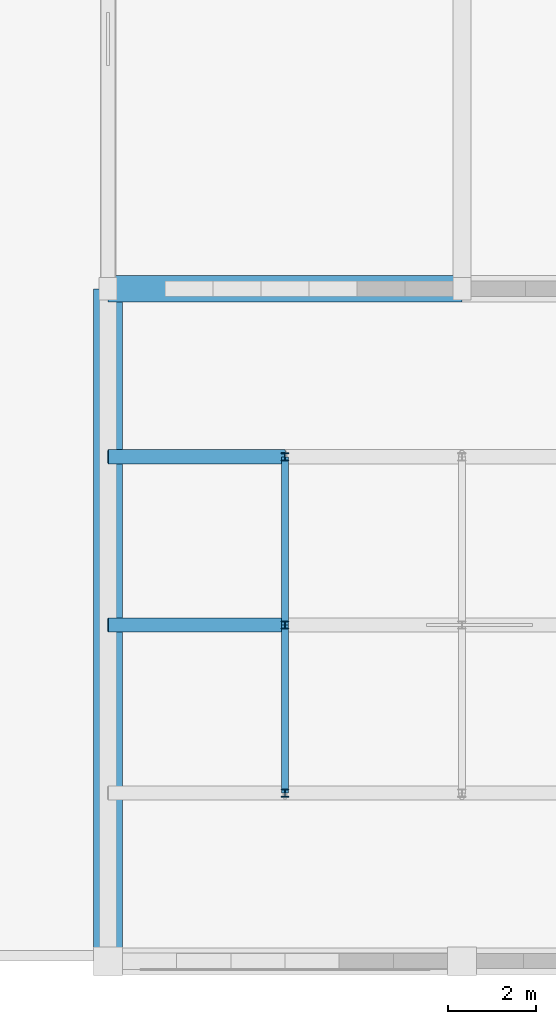
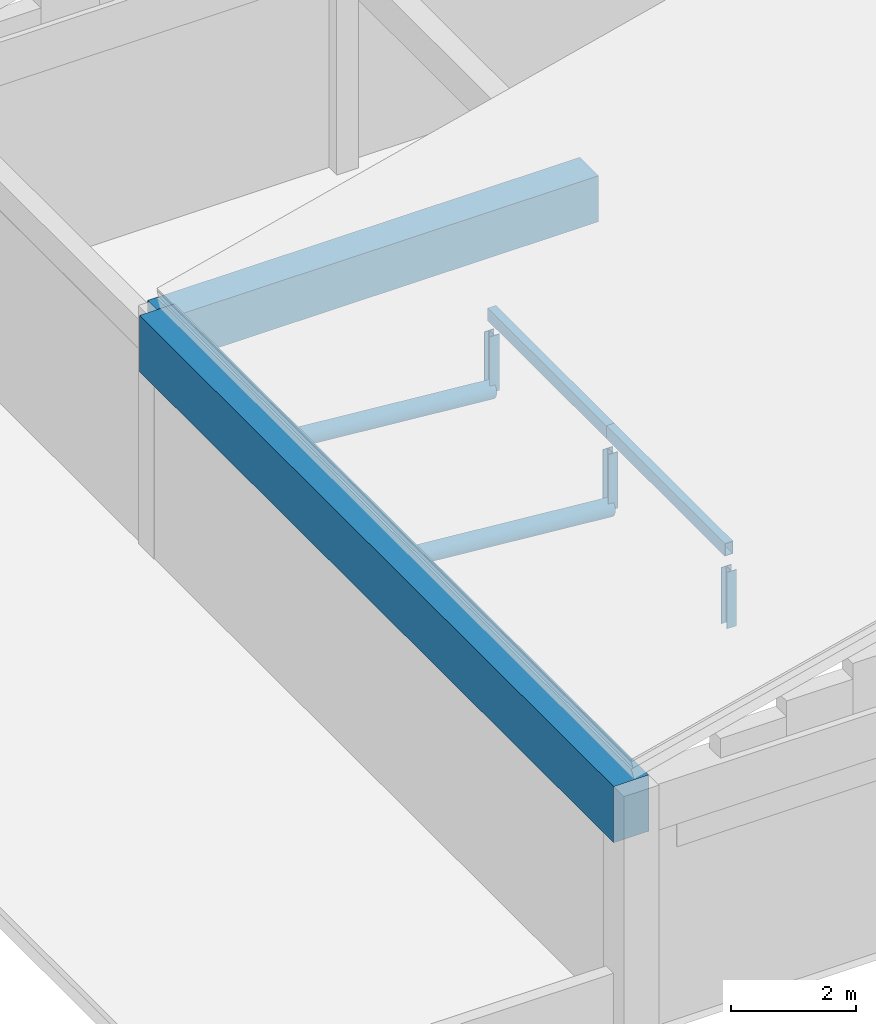
# One storey, part 11 of 61: 7 members, 2 beams.
"""IFC4 building model written with IfcOpenShell, lengths in metres."""

from ifc_helpers import new_model, si_unit, direction, frame, origin, origin_2d, place, context, subcontext, project, spatial, rectangle, hollow_rectangle, hollow_circle, i_section, extrude, material, material_profile, profile_set, type_object, element, save


model = new_model("IFC4")

# Units and contexts
model_context = context("Model", 3, precision=1e-05, world=origin(), true_north=direction((0.0, 1.0)))
body_context = subcontext(model_context, "Body", "Model", "MODEL_VIEW")
ifc_project = project(units=[si_unit("LENGTHUNIT", "METRE"), si_unit("AREAUNIT", "SQUARE_METRE"), si_unit("VOLUMEUNIT", "CUBIC_METRE"), si_unit("PLANEANGLEUNIT", "RADIAN"), si_unit("MASSUNIT", "GRAM", prefix="KILO")], contexts=[model_context])

# Site, building, storey
site_placement = place(None, origin())
site = spatial("IfcSite", under=ifc_project, at=site_placement, CompositionType="ELEMENT")
building_placement = place(site_placement, origin())
building = spatial("IfcBuilding", under=site, at=building_placement, Name="Vellmiral Cinema and Media Centre", CompositionType="ELEMENT")
storey_placement = place(building_placement, frame((0.0, 0.0, 10.800048828125)))
storey = spatial("IfcBuildingStorey", under=building, at=storey_placement, Name="L02", CompositionType="ELEMENT", Elevation=10.800048828125)

# Members
ifc_material_1 = material(Name="Steel S355", Category="steel")
ifc_material_profile_1 = material_profile(ifc_material_1, hollow_rectangle(XDim=0.14990234375, YDim=0.25, WallThickness=0.010009765625, at=origin_2d()), Name="RHS 250x150x10.0")
ifc_profile_set_1 = profile_set([ifc_material_profile_1], Name="Steel S355")
member_type_1 = type_object("IfcMemberType", Name="PRL-RHS250", PredefinedType="PURLIN", material=ifc_profile_set_1)
member_1_placement = place(storey_placement, frame((128.0, 16.60009765625, 5.63720703125), z_axis=(0.0, 1.0, 0.0), x_axis=(-1.0, 0.0, 0.0)))
element("IfcMember", 1, at=member_1_placement, inside=storey, type_object=member_type_1, Name="Roof Purlin 5.1.1", PredefinedType="PURLIN", context=body_context, shape_type="SweptSolid", body=[
    extrude(hollow_rectangle(XDim=0.14990234375, YDim=0.25, WallThickness=0.010009765625, at=origin_2d()), origin(), (0.0, 0.0, 1.0), 3.7998046875),
])
member_2_placement = place(storey_placement, frame((128.0, 20.39990234375, 5.63720703125), z_axis=(0.0, 1.0, 0.0), x_axis=(-1.0, 0.0, 0.0)))
element("IfcMember", 2, at=member_2_placement, inside=storey, type_object=member_type_1, Name="Roof Purlin 5.1.2", PredefinedType="PURLIN", context=body_context, shape_type="SweptSolid", body=[
    extrude(hollow_rectangle(XDim=0.14990234375, YDim=0.25, WallThickness=0.010009765625, at=origin_2d()), origin(), (0.0, 0.0, 1.0), 3.800048828125),
])

# Beams
ifc_material_2 = material(Name="Concrete C40/50", Category="concrete")
ifc_material_profile_2 = material_profile(ifc_material_2, rectangle(XDim=0.60009765625, YDim=0.89990234375, at=origin_2d()), Name="RC 600x900")
ifc_profile_set_2 = profile_set([ifc_material_profile_2], Name="Concrete C40/50")
beam_type_1 = type_object("IfcBeamType", Name="RING-BM-600x900", PredefinedType="BEAM", material=ifc_profile_set_2)
beam_1_placement = place(storey_placement, frame((124.0, 28.0, 4.349853515625), z_axis=(1.0, 0.0, 0.0), x_axis=(0.0, 1.0, 0.0)))
element("IfcBeam", 3, at=beam_1_placement, inside=storey, type_object=beam_type_1, Name="Cinema Screen 5 Ring Beam 04", PredefinedType="BEAM", context=body_context, shape_type="SweptSolid", body=[
    extrude(rectangle(XDim=0.60009765625, YDim=0.89990234375, at=origin_2d()), origin(), (0.0, 0.0, 1.0), 8.0),
])
ifc_material_3 = material(Name="Concrete C40/50", Category="concrete")
ifc_material_profile_3 = material_profile(ifc_material_3, rectangle(XDim=0.64990234375, YDim=1.10009765625, at=origin_2d()), Name="RC 650x1100")
ifc_profile_set_3 = profile_set([ifc_material_profile_3], Name="Concrete C40/50")
beam_type_2 = type_object("IfcBeamType", Name="RING-BMG-650x1100", PredefinedType="BEAM", material=ifc_profile_set_3)
beam_2_placement = place(storey_placement, frame((124.0, 12.800048828125, 4.25), z_axis=(0.0, 1.0, 0.0), x_axis=(-1.0, 0.0, 0.0)))
element("IfcBeam", 4, at=beam_2_placement, inside=storey, type_object=beam_type_2, Name="Cinema Screen 5 Ring Beam 07", PredefinedType="BEAM", context=body_context, shape_type="SweptSolid", body=[
    extrude(rectangle(XDim=0.64990234375, YDim=1.10009765625, at=origin_2d()), origin(), (0.0, 0.0, 1.0), 15.199951171875),
])

# Members
ifc_material_4 = material(Name="Steel S355", Category="steel")
ifc_material_profile_4 = material_profile(ifc_material_4, hollow_circle(Radius=0.161865234375, WallThickness=0.012451171875, at=origin_2d()), Name="CHS 323.9x12.5")
ifc_profile_set_4 = profile_set([ifc_material_profile_4], Name="Steel S355")
member_type_2 = type_object("IfcMemberType", Name="TBR-CHS324", PredefinedType="BRACE", material=ifc_profile_set_4)
for number, where, z_axis, x_axis, name in (
    (5, (124.0, 20.39990234375, 4.5), (0.996191605278, 0.0, -0.087191086546), (0.0, 1.0, 0.0), "Roof Truss TR-05.2 Diagonal 1"),
    (6, (124.0, 24.199951171875, 4.5), (0.996191605278, 0.0, -0.087191086546), (0.0, 1.0, 0.0), "Roof Truss TR-05.3 Diagonal 1"),
):
    element("IfcMember", number, at=place(storey_placement, frame(where, z_axis=z_axis, x_axis=x_axis)), inside=storey, type_object=member_type_2, Name=name, PredefinedType="BRACE", context=body_context, shape_type="SweptSolid", body=[
        extrude(hollow_circle(Radius=0.161865234375, WallThickness=0.012451171875, at=origin_2d()), origin(), (0.0, 0.0, 1.0), 4.015380859375),
    ])
ifc_material_5 = material(Name="Steel S355", Category="steel")
ifc_material_profile_5 = material_profile(ifc_material_5, i_section(OverallWidth=0.179931640625, OverallDepth=0.179931640625, WebThickness=0.008544921875, FlangeThickness=0.013916015625, FilletRadius=0.014892578125, at=origin_2d()), Name="HEB 180")
ifc_profile_set_5 = profile_set([ifc_material_profile_5], Name="Steel S355")
member_type_3 = type_object("IfcMemberType", Name="TBR-HEB180", PredefinedType="BRACE", material=ifc_profile_set_5)
for number, where, z_axis, x_axis, name in (
    (7, (128.0, 16.60009765625, 4.14990234375), (0.0, 0.0, 1.0), (1.0, 0.0, 0.0), "Roof Truss TR-05.1 Post 1"),
    (8, (128.0, 20.39990234375, 4.14990234375), (0.0, 0.0, 1.0), (1.0, 0.0, 0.0), "Roof Truss TR-05.2 Post 1"),
    (9, (128.0, 24.199951171875, 4.14990234375), (0.0, 0.0, 1.0), (1.0, 0.0, 0.0), "Roof Truss TR-05.3 Post 1"),
):
    element("IfcMember", number, at=place(storey_placement, frame(where, z_axis=z_axis, x_axis=x_axis)), inside=storey, type_object=member_type_3, Name=name, PredefinedType="BRACE", context=body_context, shape_type="SweptSolid", body=[
        extrude(i_section(OverallWidth=0.179931640625, OverallDepth=0.179931640625, WebThickness=0.008544921875, FlangeThickness=0.013916015625, FilletRadius=0.014892578125, at=origin_2d()), origin(), (0.0, 0.0, 1.0), 1.102294921875),
    ])

save(model, "model.ifc")
